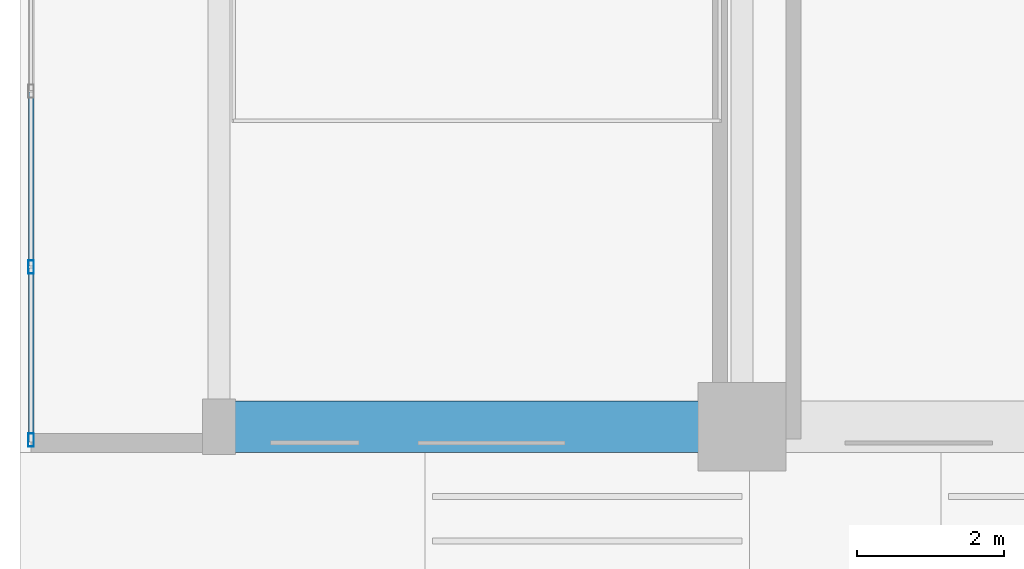
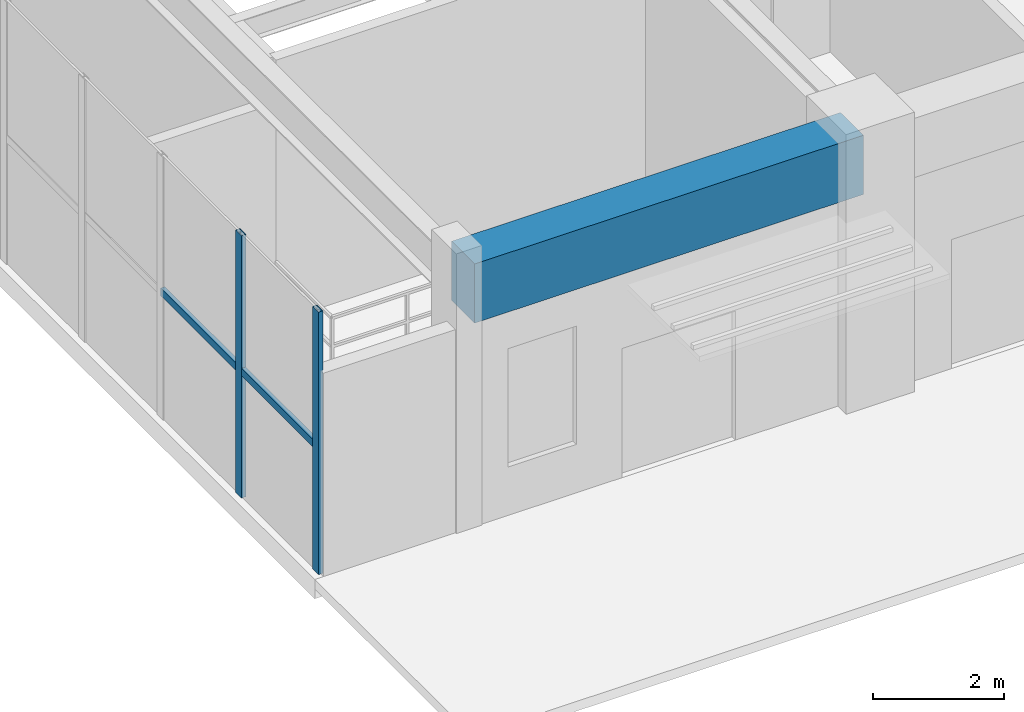
# One storey, part 2 of 40: 4 members, 1 beam, 1 element without a shape of its own.
"""IFC4 building model written with IfcOpenShell, lengths in metres."""

from ifc_helpers import new_model, si_unit, direction, frame, origin, origin_2d, place, context, subcontext, project, spatial, rectangle, hollow_rectangle, extrude, source, transform, mapped, material, material_profile, profile_set, type_object, element, aggregate, save


model = new_model("IFC4")

# Units and contexts
model_context = context("Model", 3, precision=1e-05, world=origin(), true_north=direction((0.0, 1.0)))
body_context = subcontext(model_context, "Body", "Model", "MODEL_VIEW")
ifc_project = project(units=[si_unit("LENGTHUNIT", "METRE"), si_unit("AREAUNIT", "SQUARE_METRE"), si_unit("VOLUMEUNIT", "CUBIC_METRE"), si_unit("PLANEANGLEUNIT", "RADIAN"), si_unit("MASSUNIT", "GRAM", prefix="KILO")], contexts=[model_context])

# Site, building, storey
site_placement = place(None, origin())
site = spatial("IfcSite", under=ifc_project, at=site_placement, CompositionType="ELEMENT")
building_placement = place(site_placement, origin())
building = spatial("IfcBuilding", under=site, at=building_placement, Name="Trelvane Seafront Commons", CompositionType="ELEMENT")
storey_placement = place(building_placement, origin())
storey = spatial("IfcBuildingStorey", under=building, at=storey_placement, Name="L00", CompositionType="ELEMENT", Elevation=0.0)

# Beam
ifc_material_1 = material(Name="Concrete C50/60", Category="concrete")
ifc_material_profile_1 = material_profile(ifc_material_1, rectangle(XDim=0.699951171875, YDim=1.10009765625, at=origin_2d()), Name="RC-700x1100")
ifc_profile_set_1 = profile_set([ifc_material_profile_1], Name="Concrete C50/60")
beam_type = type_object("IfcBeamType", Name="STR-TBM-RC700x1100", PredefinedType="T_BEAM", material=ifc_profile_set_1)
shared_shape_1 = source(origin(), body_context, "Body", "SweptSolid", [
    extrude(rectangle(XDim=0.699951171875, YDim=1.10009765625, at=origin_2d()), origin(), (0.0, 0.0, 1.0), 6.83740234375),
])
beam_placement = place(storey_placement, frame((0.612548828125, 3.949951171875, 4.330078125), z_axis=(1.0, 0.0, 0.0), x_axis=(0.0, 1.0, 0.0)))
element("IfcBeam", 1, at=beam_placement, inside=storey, type_object=beam_type, Name="L00 Primary Girder G-01", PredefinedType="T_BEAM", context=body_context, shape_type="MappedRepresentation", body=[
    mapped(shared_shape_1, transform((0.0, 0.0, 0.0), x_axis=(1.0, 0.0, 0.0), y_axis=(0.0, 1.0, 0.0), z_axis=(0.0, 0.0, 1.0), scale=1.0)),
])

# Curtain wall, members
ifc_material_2 = material(Name="Anodised pale-silver aluminium", Category="aluminium")
curtain_wall_type = type_object("IfcCurtainWallType", Name="ARCH-CW4-SKYLOBBY", PredefinedType="NOTDEFINED", material=ifc_material_2)
curtain_wall_placement = place(storey_placement, origin())
curtain_wall = element("IfcCurtainWall", 2, at=curtain_wall_placement, inside=storey, type_object=curtain_wall_type, Name="CW-L00-0006", PredefinedType="NOTDEFINED")
ifc_material_profile_2 = material_profile(ifc_material_2, hollow_rectangle(XDim=0.080078125, YDim=0.179931640625, WallThickness=0.00439453125, at=origin_2d()), Name="MULL-80x180x4.5")
ifc_profile_set_2 = profile_set([ifc_material_profile_2], Name="Anodised pale-silver aluminium")
member_type_1 = type_object("IfcMemberType", Name="ARCH-CW-MULL-180", PredefinedType="MULLION", material=ifc_profile_set_2)
shared_shape_2 = source(origin(), body_context, "Body", "SweptSolid", [
    extrude(hollow_rectangle(XDim=0.080078125, YDim=0.179931640625, WallThickness=0.00439453125, at=origin_2d()), origin(), (0.0, 0.0, 1.0), 4.8798828125),
])
member_1_placement = place(storey_placement, frame((-2.050048828125, 3.77001953125, 0.0), z_axis=(0.0, 0.0, 1.0), x_axis=(1.0, 0.0, 0.0)))
member_1 = element("IfcMember", 3, at=member_1_placement, type_object=member_type_1, Name="CW-L00-0006-M00", PredefinedType="MULLION", context=body_context, shape_type="MappedRepresentation", body=[
    mapped(shared_shape_2, transform((0.0, 0.0, 0.0), x_axis=(1.0, 0.0, 0.0), y_axis=(0.0, 1.0, 0.0), z_axis=(0.0, 0.0, 1.0), scale=1.0)),
])
member_2_placement = place(storey_placement, frame((-2.050048828125, 6.116943359375, 0.0), z_axis=(0.0, 0.0, 1.0), x_axis=(1.0, 0.0, 0.0)))
member_2 = element("IfcMember", 4, at=member_2_placement, type_object=member_type_1, Name="CW-L00-0006-M01", PredefinedType="MULLION", context=body_context, shape_type="MappedRepresentation", body=[
    mapped(shared_shape_2, transform((0.0, 0.0, 0.0), x_axis=(1.0, 0.0, 0.0), y_axis=(0.0, 1.0, 0.0), z_axis=(0.0, 0.0, 1.0), scale=1.0)),
])
ifc_material_profile_3 = material_profile(ifc_material_2, hollow_rectangle(XDim=0.074951171875, YDim=0.139892578125, WallThickness=0.00390625, at=origin_2d()), Name="TRAN-75x140x4")
ifc_profile_set_3 = profile_set([ifc_material_profile_3], Name="Anodised pale-silver aluminium")
member_type_2 = type_object("IfcMemberType", Name="ARCH-CW-TRAN-140", PredefinedType="USERDEFINED", material=ifc_profile_set_3)
shared_shape_3 = source(origin(), body_context, "Body", "SweptSolid", [
    extrude(hollow_rectangle(XDim=0.074951171875, YDim=0.139892578125, WallThickness=0.00390625, at=origin_2d()), origin(), (0.0, 0.0, 1.0), 2.363037109375),
])
member_3_placement = place(storey_placement, frame((-2.050048828125, 3.741943359375, 2.342041015625), z_axis=(0.0, 1.0, 0.0), x_axis=(-1.0, 0.0, 0.0)))
member_3 = element("IfcMember", 5, at=member_3_placement, type_object=member_type_2, Name="CW-L00-0006-T00", ObjectType="TRANSOM", PredefinedType="USERDEFINED", context=body_context, shape_type="MappedRepresentation", body=[
    mapped(shared_shape_3, transform((0.0, 0.0, 0.0), x_axis=(1.0, 0.0, 0.0), y_axis=(0.0, 1.0, 0.0), z_axis=(0.0, 0.0, 1.0), scale=1.0)),
])
member_4_placement = place(storey_placement, frame((-2.050048828125, 6.12890625, 2.342041015625), z_axis=(0.0, 1.0, 0.0), x_axis=(-1.0, 0.0, 0.0)))
member_4 = element("IfcMember", 6, at=member_4_placement, type_object=member_type_2, Name="CW-L00-0006-T01", ObjectType="TRANSOM", PredefinedType="USERDEFINED", context=body_context, shape_type="MappedRepresentation", body=[
    mapped(shared_shape_3, transform((0.0, 0.0, 0.0), x_axis=(1.0, 0.0, 0.0), y_axis=(0.0, 1.0, 0.0), z_axis=(0.0, 0.0, 1.0), scale=1.0)),
])
aggregate(curtain_wall, [member_1, member_2, member_3, member_4])

save(model, "model.ifc")
